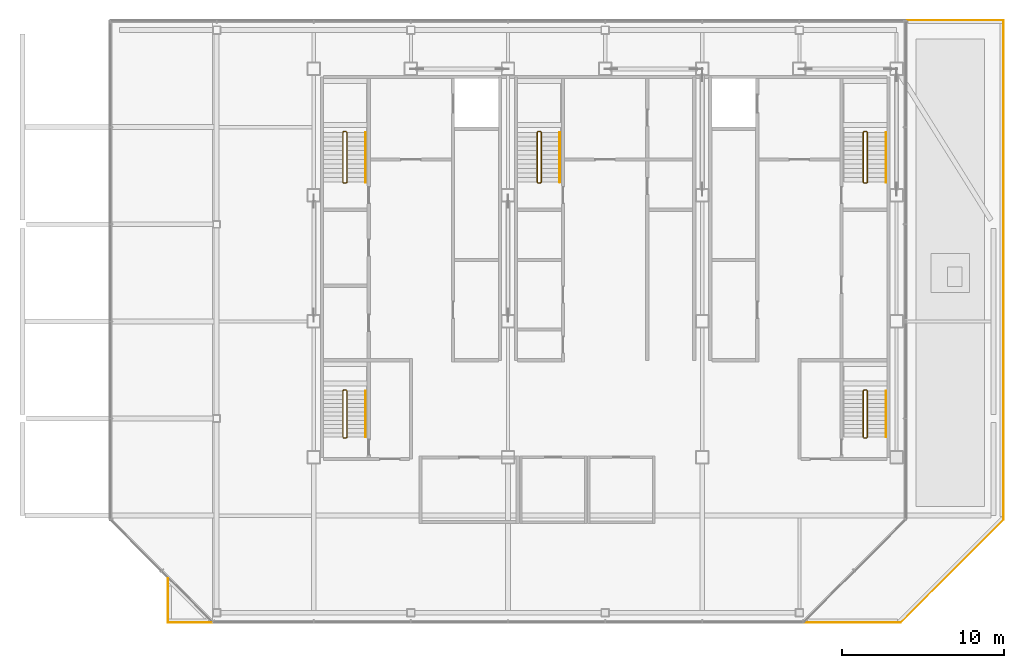
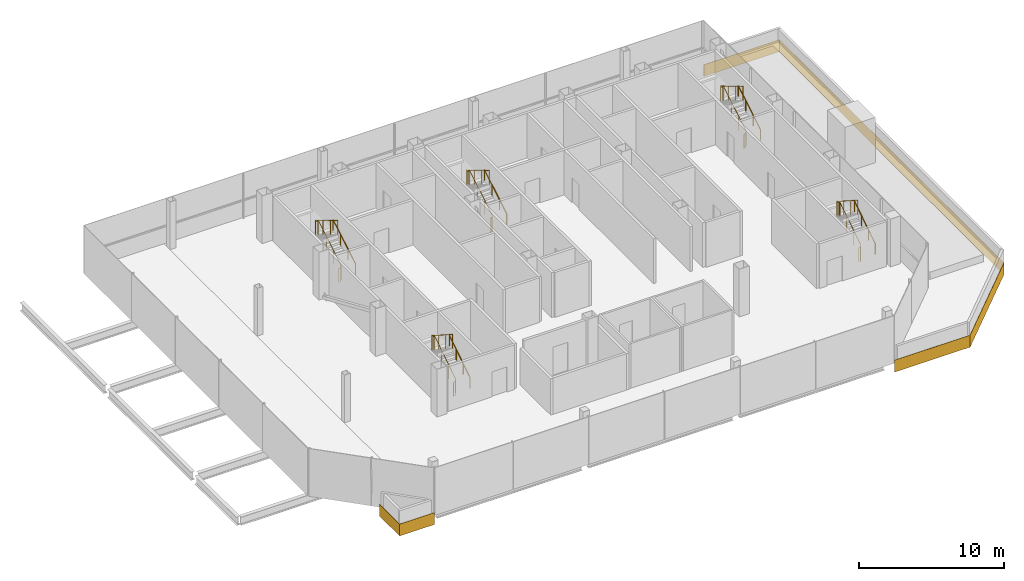
# One storey, part 16 of 17: 10 railings, 3 coverings.
"""IFC4 building model written with IfcOpenShell, lengths in metres."""

from ifc_helpers import new_model, si_unit, direction, frame, origin, origin_2d, place, context, subcontext, project, spatial, polyline, circle, outline, extrude, material, layer, layer_set, type_object, element, save


model = new_model("IFC4")

# Units and contexts
model_context = context("Model", 3, precision=1e-05, world=origin(), true_north=direction((0.0, 1.0)))
body_context = subcontext(model_context, "Body", "Model", "MODEL_VIEW")
ifc_project = project(units=[si_unit("LENGTHUNIT", "METRE"), si_unit("AREAUNIT", "SQUARE_METRE"), si_unit("VOLUMEUNIT", "CUBIC_METRE"), si_unit("PLANEANGLEUNIT", "RADIAN"), si_unit("MASSUNIT", "GRAM", prefix="KILO")], contexts=[model_context])

# Site, building, storey
site_placement = place(None, origin())
site = spatial("IfcSite", under=ifc_project, at=site_placement, CompositionType="ELEMENT")
building_placement = place(site_placement, origin())
building = spatial("IfcBuilding", under=site, at=building_placement, Name="Sorahane Residences", CompositionType="ELEMENT")
storey_placement = place(building_placement, frame((0.0, 0.0, 341.800048828125)))
storey = spatial("IfcBuildingStorey", under=building, at=storey_placement, Name="L81", CompositionType="ELEMENT", Elevation=341.800048828125)

# Coverings
ifc_material_1 = material(Name="Dark bronze aluminium", Category="aluminium")
ifc_layer = layer(ifc_material_1, 0.02001953125)
ifc_layer_set = layer_set([ifc_layer], Name="Edge fascia dark bronze aluminium 20")
covering_type = type_object("IfcCoveringType", Name="Edge fascia dark bronze aluminium 20", PredefinedType="CLADDING", material=ifc_layer_set)
covering_1_placement = place(storey_placement, frame((0.0, 0.0, -1.0)))
element("IfcCovering", 1, at=covering_1_placement, inside=storey, type_object=covering_type, Name="Edge fascia L81.1.1", PredefinedType="CLADDING", context=body_context, shape_type="SweptSolid", body=[
    extrude(outline(polyline([(-3.02099609375, 11.37890625), (-3.02099609375, 14.13720703125), (-3.0009765625, 14.13720703125), (-3.0009765625, 11.39892578125), (-0.2626953125, 11.39892578125), (-0.2626953125, 11.37890625), (-3.02099609375, 11.37890625)])), origin(), (0.0, 0.0, 1.0), 1.0),
])
covering_2_placement = place(storey_placement, frame((0.0, 0.0, -1.0)))
element("IfcCovering", 2, at=covering_2_placement, inside=storey, type_object=covering_type, Name="Edge fascia L81.2.1", PredefinedType="CLADDING", context=body_context, shape_type="SweptSolid", body=[
    extrude(outline(polyline([(42.257080078125, 11.37890625), (36.2626953125, 11.37890625), (36.2626953125, 11.39892578125), (42.248779296875, 11.39892578125), (48.6005859375, 17.750732421875), (48.61474609375, 17.736572265625), (42.257080078125, 11.37890625)])), origin(), (0.0, 0.0, 1.0), 1.0),
])
covering_3_placement = place(storey_placement, frame((0.0, 0.0, -1.0)))
element("IfcCovering", 3, at=covering_3_placement, inside=storey, type_object=covering_type, Name="Edge fascia L81.2.2", PredefinedType="CLADDING", context=body_context, shape_type="SweptSolid", body=[
    extrude(outline(polyline([(48.62109375, 48.62109375), (48.62109375, 17.75146484375), (48.60107421875, 17.75146484375), (48.60107421875, 48.60107421875), (42.610107421875, 48.60107421875), (42.610107421875, 48.62109375), (48.62109375, 48.62109375)])), origin(), (0.0, 0.0, 1.0), 1.0),
])

# Railings
ifc_material_2 = material(Name="Steel Q355B", Category="steel")
railing_type_1 = type_object("IfcRailingType", Name="Stair guard 1200 Steel Q355B", PredefinedType="GUARDRAIL", material=ifc_material_2)
railing_1_placement = place(storey_placement, frame((7.85009765625, 38.550048828125, 0.0)))
element("IfcRailing", 4, at=railing_1_placement, inside=storey, type_object=railing_type_1, Name="L81 S1 stair guard 1", PredefinedType="GUARDRAIL", context=body_context, shape_type="SweptSolid", body=[
    extrude(circle(Radius=0.02392578125, at=origin_2d()), frame((0.0, 0.0, 1.17578125), z_axis=(1.0, 0.0, 0.0), x_axis=(0.0, 1.0, 0.0)), (0.0, 0.0, 1.0), 0.14990234375),
    extrude(circle(Radius=0.02392578125, at=origin_2d()), frame((0.14990234375, 0.0, 1.17578125), z_axis=(0.27662974545, 0.27662974545, 0.920299933644), x_axis=(-0.707106781187, 0.707106781187, 0.0)), (0.0, 0.0, 1.0), 0.180908203125),
    extrude(circle(Radius=0.02392578125, at=origin_2d()), frame((0.199951171875, 0.050048828125, 1.34228515625), z_axis=(0.0, 0.859260807169, 0.511537745687), x_axis=(-1.0, 0.0, 0.0)), (0.0, 0.0, 1.0), 3.584228515625),
    extrude(circle(Radius=0.02392578125, at=origin_2d()), frame((0.199951171875, 3.1298828125, 3.17578125), z_axis=(-0.707106781187, 0.707106781187, 0.0), x_axis=(-0.707106781187, -0.707106781187, 0.0)), (0.0, 0.0, 1.0), 0.07080078125),
    extrude(circle(Radius=0.02392578125, at=origin_2d()), frame((0.14990234375, 3.179931640625, 3.17578125), z_axis=(-1.0, 0.0, 0.0), x_axis=(0.0, -1.0, 0.0)), (0.0, 0.0, 1.0), 0.14990234375),
    extrude(circle(Radius=0.02392578125, at=origin_2d()), frame((0.0, 3.179931640625, 3.17578125), z_axis=(-0.27662974545, -0.27662974545, 0.920299933644), x_axis=(0.707106781187, -0.707106781187, 0.0)), (0.0, 0.0, 1.0), 0.180908203125),
    extrude(circle(Radius=0.02392578125, at=origin_2d()), frame((-0.050048828125, 3.1298828125, 3.34228515625), z_axis=(0.0, -0.859260807169, 0.511537745687), x_axis=(1.0, 0.0, 0.0)), (0.0, 0.0, 1.0), 3.584228515625),
    extrude(circle(Radius=0.02099609375, at=origin_2d()), origin(), (0.0, 0.0, 1.0), 1.15185546875),
    extrude(circle(Radius=0.02099609375, at=origin_2d()), frame((0.14990234375, 0.0, 0.0)), (0.0, 0.0, 1.0), 1.15185546875),
    extrude(circle(Radius=0.02099609375, at=origin_2d()), frame((0.199951171875, 0.050048828125, 0.16650390625)), (0.0, 0.0, 1.0), 1.15185546875),
    extrude(circle(Radius=0.02099609375, at=origin_2d()), frame((0.199951171875, 1.07666015625, 0.777587890625)), (0.0, 0.0, 1.0), 1.15185546875),
    extrude(circle(Radius=0.02099609375, at=origin_2d()), frame((0.199951171875, 2.103271484375, 1.388916015625)), (0.0, 0.0, 1.0), 1.15185546875),
    extrude(circle(Radius=0.02099609375, at=origin_2d()), frame((0.199951171875, 3.1298828125, 2.0)), (0.0, 0.0, 1.0), 1.15185546875),
    extrude(circle(Radius=0.02099609375, at=origin_2d()), frame((0.14990234375, 3.179931640625, 2.0)), (0.0, 0.0, 1.0), 1.15185546875),
    extrude(circle(Radius=0.02099609375, at=origin_2d()), frame((0.0, 3.179931640625, 2.0)), (0.0, 0.0, 1.0), 1.15185546875),
    extrude(circle(Radius=0.02099609375, at=origin_2d()), frame((-0.050048828125, 3.1298828125, 2.16650390625)), (0.0, 0.0, 1.0), 1.15185546875),
    extrude(circle(Radius=0.02099609375, at=origin_2d()), frame((-0.050048828125, 2.103271484375, 2.777587890625)), (0.0, 0.0, 1.0), 1.15185546875),
    extrude(circle(Radius=0.02099609375, at=origin_2d()), frame((-0.050048828125, 1.07666015625, 3.388916015625)), (0.0, 0.0, 1.0), 1.15185546875),
    extrude(circle(Radius=0.02099609375, at=origin_2d()), frame((-0.050048828125, 0.050048828125, 4.0)), (0.0, 0.0, 1.0), 1.15185546875),
])
railing_2_placement = place(storey_placement, frame((40.0, 38.550048828125, 0.0)))
element("IfcRailing", 5, at=railing_2_placement, inside=storey, type_object=railing_type_1, Name="L81 S2 stair guard 1", PredefinedType="GUARDRAIL", context=body_context, shape_type="SweptSolid", body=[
    extrude(circle(Radius=0.02392578125, at=origin_2d()), frame((0.0, 0.0, 1.17578125), z_axis=(1.0, 0.0, 0.0), x_axis=(0.0, 1.0, 0.0)), (0.0, 0.0, 1.0), 0.14990234375),
    extrude(circle(Radius=0.02392578125, at=origin_2d()), frame((0.14990234375, 0.0, 1.17578125), z_axis=(0.27662974545, 0.27662974545, 0.920299933644), x_axis=(-0.707106781187, 0.707106781187, 0.0)), (0.0, 0.0, 1.0), 0.180908203125),
    extrude(circle(Radius=0.02392578125, at=origin_2d()), frame((0.199951171875, 0.050048828125, 1.34228515625), z_axis=(0.0, 0.859260807169, 0.511537745687), x_axis=(-1.0, 0.0, 0.0)), (0.0, 0.0, 1.0), 3.584228515625),
    extrude(circle(Radius=0.02392578125, at=origin_2d()), frame((0.199951171875, 3.1298828125, 3.17578125), z_axis=(-0.707106781187, 0.707106781187, 0.0), x_axis=(-0.707106781187, -0.707106781187, 0.0)), (0.0, 0.0, 1.0), 0.07080078125),
    extrude(circle(Radius=0.02392578125, at=origin_2d()), frame((0.14990234375, 3.179931640625, 3.17578125), z_axis=(-1.0, 0.0, 0.0), x_axis=(0.0, -1.0, 0.0)), (0.0, 0.0, 1.0), 0.14990234375),
    extrude(circle(Radius=0.02392578125, at=origin_2d()), frame((0.0, 3.179931640625, 3.17578125), z_axis=(-0.27662974545, -0.27662974545, 0.920299933644), x_axis=(0.707106781187, -0.707106781187, 0.0)), (0.0, 0.0, 1.0), 0.180908203125),
    extrude(circle(Radius=0.02392578125, at=origin_2d()), frame((-0.050048828125, 3.1298828125, 3.34228515625), z_axis=(0.0, -0.859260807169, 0.511537745687), x_axis=(1.0, 0.0, 0.0)), (0.0, 0.0, 1.0), 3.584228515625),
    extrude(circle(Radius=0.02099609375, at=origin_2d()), origin(), (0.0, 0.0, 1.0), 1.15185546875),
    extrude(circle(Radius=0.02099609375, at=origin_2d()), frame((0.14990234375, 0.0, 0.0)), (0.0, 0.0, 1.0), 1.15185546875),
    extrude(circle(Radius=0.02099609375, at=origin_2d()), frame((0.199951171875, 0.050048828125, 0.16650390625)), (0.0, 0.0, 1.0), 1.15185546875),
    extrude(circle(Radius=0.02099609375, at=origin_2d()), frame((0.199951171875, 1.07666015625, 0.777587890625)), (0.0, 0.0, 1.0), 1.15185546875),
    extrude(circle(Radius=0.02099609375, at=origin_2d()), frame((0.199951171875, 2.103271484375, 1.388916015625)), (0.0, 0.0, 1.0), 1.15185546875),
    extrude(circle(Radius=0.02099609375, at=origin_2d()), frame((0.199951171875, 3.1298828125, 2.0)), (0.0, 0.0, 1.0), 1.15185546875),
    extrude(circle(Radius=0.02099609375, at=origin_2d()), frame((0.14990234375, 3.179931640625, 2.0)), (0.0, 0.0, 1.0), 1.15185546875),
    extrude(circle(Radius=0.02099609375, at=origin_2d()), frame((0.0, 3.179931640625, 2.0)), (0.0, 0.0, 1.0), 1.15185546875),
    extrude(circle(Radius=0.02099609375, at=origin_2d()), frame((-0.050048828125, 3.1298828125, 2.16650390625)), (0.0, 0.0, 1.0), 1.15185546875),
    extrude(circle(Radius=0.02099609375, at=origin_2d()), frame((-0.050048828125, 2.103271484375, 2.777587890625)), (0.0, 0.0, 1.0), 1.15185546875),
    extrude(circle(Radius=0.02099609375, at=origin_2d()), frame((-0.050048828125, 1.07666015625, 3.388916015625)), (0.0, 0.0, 1.0), 1.15185546875),
    extrude(circle(Radius=0.02099609375, at=origin_2d()), frame((-0.050048828125, 0.050048828125, 4.0)), (0.0, 0.0, 1.0), 1.15185546875),
])
railing_3_placement = place(storey_placement, frame((19.85009765625, 38.550048828125, 0.0)))
element("IfcRailing", 6, at=railing_3_placement, inside=storey, type_object=railing_type_1, Name="L81 S3 stair guard 1", PredefinedType="GUARDRAIL", context=body_context, shape_type="SweptSolid", body=[
    extrude(circle(Radius=0.02392578125, at=origin_2d()), frame((0.0, 0.0, 1.17578125), z_axis=(1.0, 0.0, 0.0), x_axis=(0.0, 1.0, 0.0)), (0.0, 0.0, 1.0), 0.14990234375),
    extrude(circle(Radius=0.02392578125, at=origin_2d()), frame((0.14990234375, 0.0, 1.17578125), z_axis=(0.27662974545, 0.27662974545, 0.920299933644), x_axis=(-0.707106781187, 0.707106781187, 0.0)), (0.0, 0.0, 1.0), 0.180908203125),
    extrude(circle(Radius=0.02392578125, at=origin_2d()), frame((0.199951171875, 0.050048828125, 1.34228515625), z_axis=(0.0, 0.859260807169, 0.511537745687), x_axis=(-1.0, 0.0, 0.0)), (0.0, 0.0, 1.0), 3.584228515625),
    extrude(circle(Radius=0.02392578125, at=origin_2d()), frame((0.199951171875, 3.1298828125, 3.17578125), z_axis=(-0.707106781187, 0.707106781187, 0.0), x_axis=(-0.707106781187, -0.707106781187, 0.0)), (0.0, 0.0, 1.0), 0.07080078125),
    extrude(circle(Radius=0.02392578125, at=origin_2d()), frame((0.14990234375, 3.179931640625, 3.17578125), z_axis=(-1.0, 0.0, 0.0), x_axis=(0.0, -1.0, 0.0)), (0.0, 0.0, 1.0), 0.14990234375),
    extrude(circle(Radius=0.02392578125, at=origin_2d()), frame((0.0, 3.179931640625, 3.17578125), z_axis=(-0.27662974545, -0.27662974545, 0.920299933644), x_axis=(0.707106781187, -0.707106781187, 0.0)), (0.0, 0.0, 1.0), 0.180908203125),
    extrude(circle(Radius=0.02392578125, at=origin_2d()), frame((-0.050048828125, 3.1298828125, 3.34228515625), z_axis=(0.0, -0.859260807169, 0.511537745687), x_axis=(1.0, 0.0, 0.0)), (0.0, 0.0, 1.0), 3.584228515625),
    extrude(circle(Radius=0.02099609375, at=origin_2d()), origin(), (0.0, 0.0, 1.0), 1.15185546875),
    extrude(circle(Radius=0.02099609375, at=origin_2d()), frame((0.14990234375, 0.0, 0.0)), (0.0, 0.0, 1.0), 1.15185546875),
    extrude(circle(Radius=0.02099609375, at=origin_2d()), frame((0.199951171875, 0.050048828125, 0.16650390625)), (0.0, 0.0, 1.0), 1.15185546875),
    extrude(circle(Radius=0.02099609375, at=origin_2d()), frame((0.199951171875, 1.07666015625, 0.777587890625)), (0.0, 0.0, 1.0), 1.15185546875),
    extrude(circle(Radius=0.02099609375, at=origin_2d()), frame((0.199951171875, 2.103271484375, 1.388916015625)), (0.0, 0.0, 1.0), 1.15185546875),
    extrude(circle(Radius=0.02099609375, at=origin_2d()), frame((0.199951171875, 3.1298828125, 2.0)), (0.0, 0.0, 1.0), 1.15185546875),
    extrude(circle(Radius=0.02099609375, at=origin_2d()), frame((0.14990234375, 3.179931640625, 2.0)), (0.0, 0.0, 1.0), 1.15185546875),
    extrude(circle(Radius=0.02099609375, at=origin_2d()), frame((0.0, 3.179931640625, 2.0)), (0.0, 0.0, 1.0), 1.15185546875),
    extrude(circle(Radius=0.02099609375, at=origin_2d()), frame((-0.050048828125, 3.1298828125, 2.16650390625)), (0.0, 0.0, 1.0), 1.15185546875),
    extrude(circle(Radius=0.02099609375, at=origin_2d()), frame((-0.050048828125, 2.103271484375, 2.777587890625)), (0.0, 0.0, 1.0), 1.15185546875),
    extrude(circle(Radius=0.02099609375, at=origin_2d()), frame((-0.050048828125, 1.07666015625, 3.388916015625)), (0.0, 0.0, 1.0), 1.15185546875),
    extrude(circle(Radius=0.02099609375, at=origin_2d()), frame((-0.050048828125, 0.050048828125, 4.0)), (0.0, 0.0, 1.0), 1.15185546875),
])
railing_4_placement = place(storey_placement, frame((7.85009765625, 22.800048828125, 0.0)))
element("IfcRailing", 7, at=railing_4_placement, inside=storey, type_object=railing_type_1, Name="L81 S4 stair guard 1", PredefinedType="GUARDRAIL", context=body_context, shape_type="SweptSolid", body=[
    extrude(circle(Radius=0.02392578125, at=origin_2d()), frame((0.0, 0.0, 1.17578125), z_axis=(1.0, 0.0, 0.0), x_axis=(0.0, 1.0, 0.0)), (0.0, 0.0, 1.0), 0.14990234375),
    extrude(circle(Radius=0.02392578125, at=origin_2d()), frame((0.14990234375, 0.0, 1.17578125), z_axis=(0.27662974545, 0.27662974545, 0.920299933644), x_axis=(-0.707106781187, 0.707106781187, 0.0)), (0.0, 0.0, 1.0), 0.180908203125),
    extrude(circle(Radius=0.02392578125, at=origin_2d()), frame((0.199951171875, 0.050048828125, 1.34228515625), z_axis=(0.0, 0.841845648701, 0.539718355963), x_axis=(-1.0, 0.0, 0.0)), (0.0, 0.0, 1.0), 3.397216796875),
    extrude(circle(Radius=0.02392578125, at=origin_2d()), frame((0.199951171875, 2.909912109375, 3.17578125), z_axis=(-0.707106781187, 0.707106781187, 0.0), x_axis=(-0.707106781187, -0.707106781187, 0.0)), (0.0, 0.0, 1.0), 0.07080078125),
    extrude(circle(Radius=0.02392578125, at=origin_2d()), frame((0.14990234375, 2.9599609375, 3.17578125), z_axis=(-1.0, 0.0, 0.0), x_axis=(0.0, -1.0, 0.0)), (0.0, 0.0, 1.0), 0.14990234375),
    extrude(circle(Radius=0.02392578125, at=origin_2d()), frame((0.0, 2.9599609375, 3.17578125), z_axis=(-0.27662974545, -0.27662974545, 0.920299933644), x_axis=(0.707106781187, -0.707106781187, 0.0)), (0.0, 0.0, 1.0), 0.180908203125),
    extrude(circle(Radius=0.02392578125, at=origin_2d()), frame((-0.050048828125, 2.909912109375, 3.34228515625), z_axis=(0.0, -0.841845648701, 0.539718355963), x_axis=(1.0, 0.0, 0.0)), (0.0, 0.0, 1.0), 3.397216796875),
    extrude(circle(Radius=0.02099609375, at=origin_2d()), origin(), (0.0, 0.0, 1.0), 1.15185546875),
    extrude(circle(Radius=0.02099609375, at=origin_2d()), frame((0.14990234375, 0.0, 0.0)), (0.0, 0.0, 1.0), 1.15185546875),
    extrude(circle(Radius=0.02099609375, at=origin_2d()), frame((0.199951171875, 0.050048828125, 0.16650390625)), (0.0, 0.0, 1.0), 1.15185546875),
    extrude(circle(Radius=0.02099609375, at=origin_2d()), frame((0.199951171875, 1.00341796875, 0.777587890625)), (0.0, 0.0, 1.0), 1.15185546875),
    extrude(circle(Radius=0.02099609375, at=origin_2d()), frame((0.199951171875, 1.95654296875, 1.388916015625)), (0.0, 0.0, 1.0), 1.15185546875),
    extrude(circle(Radius=0.02099609375, at=origin_2d()), frame((0.199951171875, 2.909912109375, 2.0)), (0.0, 0.0, 1.0), 1.15185546875),
    extrude(circle(Radius=0.02099609375, at=origin_2d()), frame((0.14990234375, 2.9599609375, 2.0)), (0.0, 0.0, 1.0), 1.15185546875),
    extrude(circle(Radius=0.02099609375, at=origin_2d()), frame((0.0, 2.9599609375, 2.0)), (0.0, 0.0, 1.0), 1.15185546875),
    extrude(circle(Radius=0.02099609375, at=origin_2d()), frame((-0.050048828125, 2.909912109375, 2.16650390625)), (0.0, 0.0, 1.0), 1.15185546875),
    extrude(circle(Radius=0.02099609375, at=origin_2d()), frame((-0.050048828125, 1.95654296875, 2.777587890625)), (0.0, 0.0, 1.0), 1.15185546875),
    extrude(circle(Radius=0.02099609375, at=origin_2d()), frame((-0.050048828125, 1.00341796875, 3.388916015625)), (0.0, 0.0, 1.0), 1.15185546875),
    extrude(circle(Radius=0.02099609375, at=origin_2d()), frame((-0.050048828125, 0.050048828125, 4.0)), (0.0, 0.0, 1.0), 1.15185546875),
])
railing_5_placement = place(storey_placement, frame((40.0, 22.800048828125, 0.0)))
element("IfcRailing", 8, at=railing_5_placement, inside=storey, type_object=railing_type_1, Name="L81 S5 stair guard 1", PredefinedType="GUARDRAIL", context=body_context, shape_type="SweptSolid", body=[
    extrude(circle(Radius=0.02392578125, at=origin_2d()), frame((0.0, 0.0, 1.17578125), z_axis=(1.0, 0.0, 0.0), x_axis=(0.0, 1.0, 0.0)), (0.0, 0.0, 1.0), 0.14990234375),
    extrude(circle(Radius=0.02392578125, at=origin_2d()), frame((0.14990234375, 0.0, 1.17578125), z_axis=(0.27662974545, 0.27662974545, 0.920299933644), x_axis=(-0.707106781187, 0.707106781187, 0.0)), (0.0, 0.0, 1.0), 0.180908203125),
    extrude(circle(Radius=0.02392578125, at=origin_2d()), frame((0.199951171875, 0.050048828125, 1.34228515625), z_axis=(0.0, 0.841845648701, 0.539718355963), x_axis=(-1.0, 0.0, 0.0)), (0.0, 0.0, 1.0), 3.397216796875),
    extrude(circle(Radius=0.02392578125, at=origin_2d()), frame((0.199951171875, 2.909912109375, 3.17578125), z_axis=(-0.707106781187, 0.707106781187, 0.0), x_axis=(-0.707106781187, -0.707106781187, 0.0)), (0.0, 0.0, 1.0), 0.07080078125),
    extrude(circle(Radius=0.02392578125, at=origin_2d()), frame((0.14990234375, 2.9599609375, 3.17578125), z_axis=(-1.0, 0.0, 0.0), x_axis=(0.0, -1.0, 0.0)), (0.0, 0.0, 1.0), 0.14990234375),
    extrude(circle(Radius=0.02392578125, at=origin_2d()), frame((0.0, 2.9599609375, 3.17578125), z_axis=(-0.27662974545, -0.27662974545, 0.920299933644), x_axis=(0.707106781187, -0.707106781187, 0.0)), (0.0, 0.0, 1.0), 0.180908203125),
    extrude(circle(Radius=0.02392578125, at=origin_2d()), frame((-0.050048828125, 2.909912109375, 3.34228515625), z_axis=(0.0, -0.841845648701, 0.539718355963), x_axis=(1.0, 0.0, 0.0)), (0.0, 0.0, 1.0), 3.397216796875),
    extrude(circle(Radius=0.02099609375, at=origin_2d()), origin(), (0.0, 0.0, 1.0), 1.15185546875),
    extrude(circle(Radius=0.02099609375, at=origin_2d()), frame((0.14990234375, 0.0, 0.0)), (0.0, 0.0, 1.0), 1.15185546875),
    extrude(circle(Radius=0.02099609375, at=origin_2d()), frame((0.199951171875, 0.050048828125, 0.16650390625)), (0.0, 0.0, 1.0), 1.15185546875),
    extrude(circle(Radius=0.02099609375, at=origin_2d()), frame((0.199951171875, 1.00341796875, 0.777587890625)), (0.0, 0.0, 1.0), 1.15185546875),
    extrude(circle(Radius=0.02099609375, at=origin_2d()), frame((0.199951171875, 1.95654296875, 1.388916015625)), (0.0, 0.0, 1.0), 1.15185546875),
    extrude(circle(Radius=0.02099609375, at=origin_2d()), frame((0.199951171875, 2.909912109375, 2.0)), (0.0, 0.0, 1.0), 1.15185546875),
    extrude(circle(Radius=0.02099609375, at=origin_2d()), frame((0.14990234375, 2.9599609375, 2.0)), (0.0, 0.0, 1.0), 1.15185546875),
    extrude(circle(Radius=0.02099609375, at=origin_2d()), frame((0.0, 2.9599609375, 2.0)), (0.0, 0.0, 1.0), 1.15185546875),
    extrude(circle(Radius=0.02099609375, at=origin_2d()), frame((-0.050048828125, 2.909912109375, 2.16650390625)), (0.0, 0.0, 1.0), 1.15185546875),
    extrude(circle(Radius=0.02099609375, at=origin_2d()), frame((-0.050048828125, 1.95654296875, 2.777587890625)), (0.0, 0.0, 1.0), 1.15185546875),
    extrude(circle(Radius=0.02099609375, at=origin_2d()), frame((-0.050048828125, 1.00341796875, 3.388916015625)), (0.0, 0.0, 1.0), 1.15185546875),
    extrude(circle(Radius=0.02099609375, at=origin_2d()), frame((-0.050048828125, 0.050048828125, 4.0)), (0.0, 0.0, 1.0), 1.15185546875),
])
ifc_material_3 = material(Name="Steel Q355B", Category="steel")
railing_type_2 = type_object("IfcRailingType", Name="Stair handrail 900 Steel Q355B", PredefinedType="HANDRAIL", material=ifc_material_3)
for number, where, name in (
    (9, (9.199951171875, 38.60009765625, 0.16650390625), "L81 S1 stair handrail 1"),
    (10, (41.35009765625, 38.60009765625, 0.16650390625), "L81 S2 stair handrail 1"),
    (11, (21.199951171875, 38.60009765625, 0.16650390625), "L81 S3 stair handrail 1"),
):
    element("IfcRailing", number, at=place(storey_placement, frame(where)), inside=storey, type_object=railing_type_2, Name=name, PredefinedType="HANDRAIL", context=body_context, shape_type="SweptSolid", body=[
        extrude(circle(Radius=0.02392578125, at=origin_2d()), frame((0.0, 0.0, 0.8759765625), z_axis=(0.0, 0.859260807169, 0.511537745687), x_axis=(-1.0, 0.0, 0.0)), (0.0, 0.0, 1.0), 3.584228515625),
        extrude(circle(Radius=0.02099609375, at=origin_2d()), origin(), (0.0, 0.0, 1.0), 0.851806640625),
        extrude(circle(Radius=0.02099609375, at=origin_2d()), frame((0.0, 1.026611328125, 0.611083984375)), (0.0, 0.0, 1.0), 0.851806640625),
        extrude(circle(Radius=0.02099609375, at=origin_2d()), frame((0.0, 2.05322265625, 1.222412109375)), (0.0, 0.0, 1.0), 0.851806640625),
        extrude(circle(Radius=0.02099609375, at=origin_2d()), frame((0.0, 3.079833984375, 1.83349609375)), (0.0, 0.0, 1.0), 0.851806640625),
    ])
for number, where, name in (
    (12, (9.199951171875, 22.85009765625, 0.16650390625), "L81 S4 stair handrail 1"),
    (13, (41.35009765625, 22.85009765625, 0.16650390625), "L81 S5 stair handrail 1"),
):
    element("IfcRailing", number, at=place(storey_placement, frame(where)), inside=storey, type_object=railing_type_2, Name=name, PredefinedType="HANDRAIL", context=body_context, shape_type="SweptSolid", body=[
        extrude(circle(Radius=0.02392578125, at=origin_2d()), frame((0.0, 0.0, 0.8759765625), z_axis=(0.0, 0.841845648701, 0.539718355963), x_axis=(-1.0, 0.0, 0.0)), (0.0, 0.0, 1.0), 3.397216796875),
        extrude(circle(Radius=0.02099609375, at=origin_2d()), origin(), (0.0, 0.0, 1.0), 0.851806640625),
        extrude(circle(Radius=0.02099609375, at=origin_2d()), frame((0.0, 0.953369140625, 0.611083984375)), (0.0, 0.0, 1.0), 0.851806640625),
        extrude(circle(Radius=0.02099609375, at=origin_2d()), frame((0.0, 1.906494140625, 1.222412109375)), (0.0, 0.0, 1.0), 0.851806640625),
        extrude(circle(Radius=0.02099609375, at=origin_2d()), frame((0.0, 2.85986328125, 1.83349609375)), (0.0, 0.0, 1.0), 0.851806640625),
    ])

save(model, "model.ifc")
